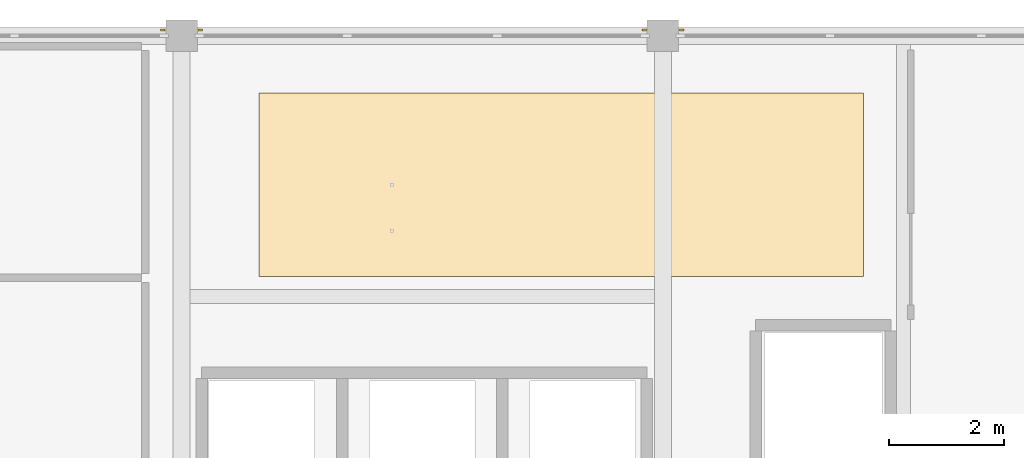
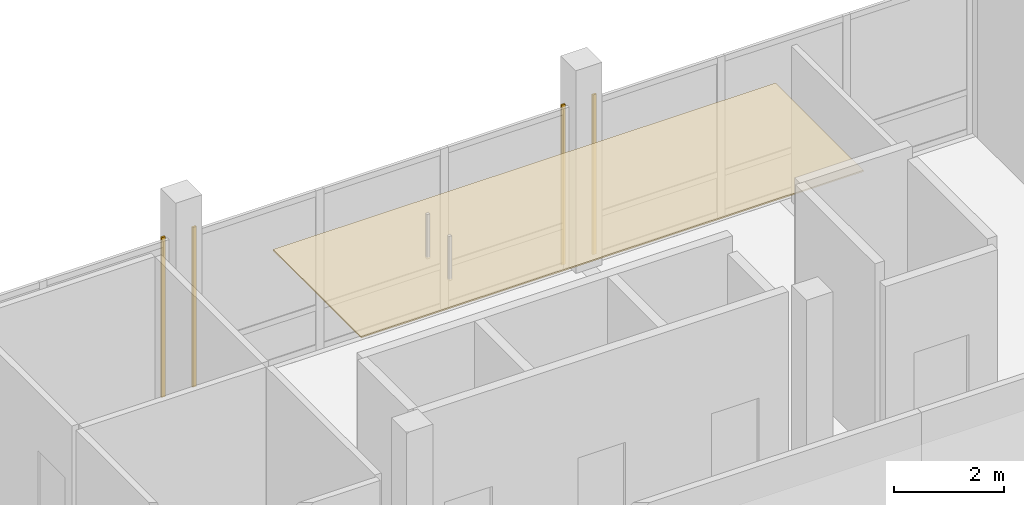
# One storey, part 18 of 20: 5 coverings.
"""IFC4 building model written with IfcOpenShell, lengths in metres."""

from ifc_helpers import new_model, si_unit, direction, frame, origin, origin_2d, place, context, subcontext, project, spatial, polyline, rectangle, outline, extrude, material, layer, layer_set, type_object, element, save


model = new_model("IFC4")

# Units and contexts
model_context = context("Model", 3, precision=1e-05, world=origin(), true_north=direction((0.0, 1.0)))
body_context = subcontext(model_context, "Body", "Model", "MODEL_VIEW")
ifc_project = project(units=[si_unit("LENGTHUNIT", "METRE"), si_unit("AREAUNIT", "SQUARE_METRE"), si_unit("VOLUMEUNIT", "CUBIC_METRE"), si_unit("PLANEANGLEUNIT", "RADIAN"), si_unit("MASSUNIT", "GRAM", prefix="KILO")], contexts=[model_context])

# Site, building, storey
site_placement = place(None, origin())
site = spatial("IfcSite", under=ifc_project, at=site_placement, CompositionType="ELEMENT")
building_placement = place(site_placement, origin())
building = spatial("IfcBuilding", under=site, at=building_placement, Name="Telukmera Botanical Conservatory", CompositionType="ELEMENT")
storey_placement = place(building_placement, frame((0.0, 0.0, 69.0)))
storey = spatial("IfcBuildingStorey", under=building, at=storey_placement, Name="L15", CompositionType="ELEMENT", Elevation=69.0)

# Coverings
ifc_material_1 = material(Name="Mineral fibre acoustic ceiling")
ifc_layer_1 = layer(ifc_material_1, 0.030029296875)
ifc_layer_set_1 = layer_set([ifc_layer_1], Name="Mineral fibre acoustic ceiling")
covering_type_1 = type_object("IfcCoveringType", Name="COV-CEIL-30", PredefinedType="CEILING", material=ifc_layer_set_1)
covering_placement = place(storey_placement, frame((0.0, 0.0, 3.320068359375)))
element("IfcCovering", 1, at=covering_placement, inside=storey, type_object=covering_type_1, Name="L15 Exhibition Curatorial Preparation Room Suspended Acoustic Ceiling", PredefinedType="CEILING", context=body_context, shape_type="SweptSolid", body=[
    extrude(outline(polyline([(76.949951171875, 30.199951171875), (87.5, 30.199951171875), (87.5, 33.39990234375), (76.949951171875, 33.39990234375), (76.949951171875, 30.199951171875)])), origin(), (0.0, 0.0, 1.0), 0.030029296875),
])
ifc_material_2 = material(Name="Granite-faced precast concrete C40/50", Category="masonry")
ifc_layer_2 = layer(ifc_material_2, 0.0400390625)
ifc_layer_set_2 = layer_set([ifc_layer_2], Name="Granite-faced precast concrete C40/50")
covering_type_2 = type_object("IfcCoveringType", Name="Granite Precast Column Pier Reveal Casing", PredefinedType="CLADDING", material=ifc_layer_set_2)
for number, where, z_axis, x_axis, name in (
    (2, (75.27294921875, 34.5, 0.0), (0.0, 0.0, 1.0), (1.0, 0.0, 0.0), "Granite Pier Reveal V4:L15:N2 R"),
    (3, (75.927001953125, 34.5, 0.0), (0.0, 0.0, 1.0), (1.0, 0.0, 0.0), "Granite Pier Reveal V4:L15:N3 L"),
    (4, (83.673095703125, 34.5, 0.0), (0.0, 0.0, 1.0), (1.0, 0.0, 0.0), "Granite Pier Reveal V4:L15:N3 R"),
    (5, (84.326904296875, 34.5, 0.0), (0.0, 0.0, 1.0), (1.0, 0.0, 0.0), "Granite Pier Reveal V4:L15:N4 L"),
):
    element("IfcCovering", number, at=place(storey_placement, frame(where, z_axis=z_axis, x_axis=x_axis)), inside=storey, type_object=covering_type_2, Name=name, PredefinedType="CLADDING", context=body_context, shape_type="SweptSolid", body=[
        extrude(rectangle(XDim=0.080078125, YDim=0.0400390625, at=origin_2d()), origin(), (0.0, 0.0, 1.0), 3.550048828125),
    ])

save(model, "model.ifc")
